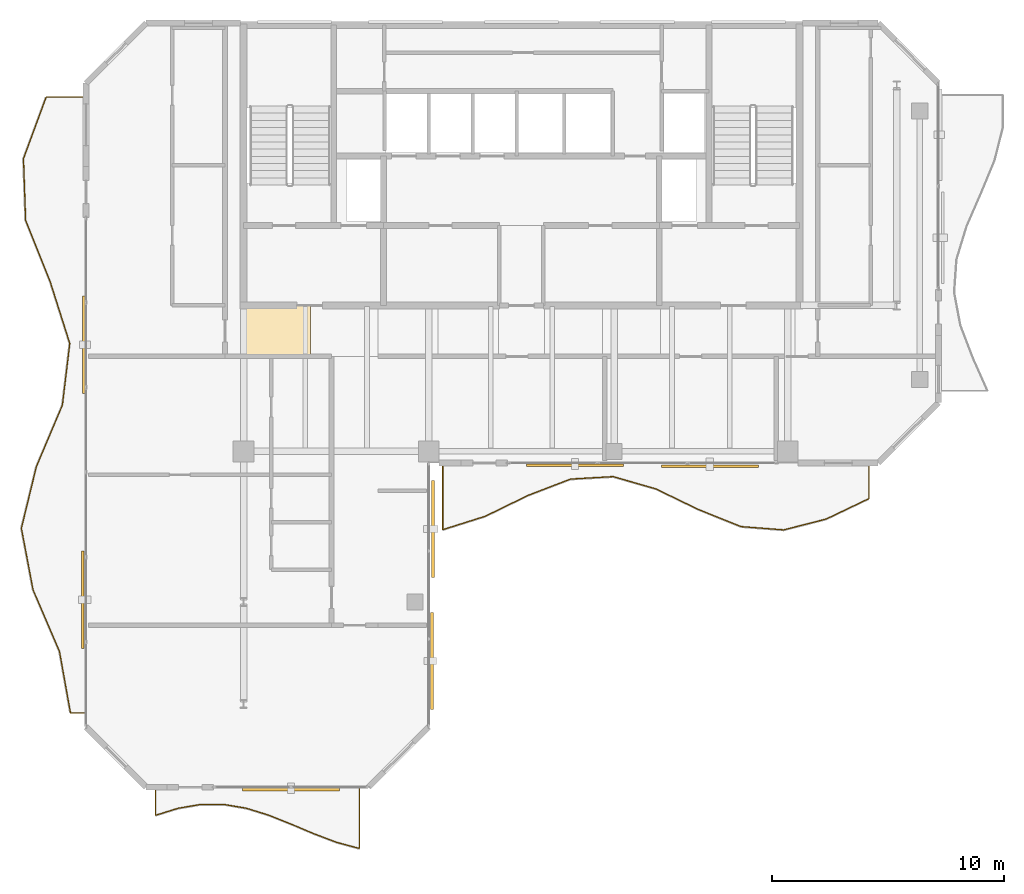
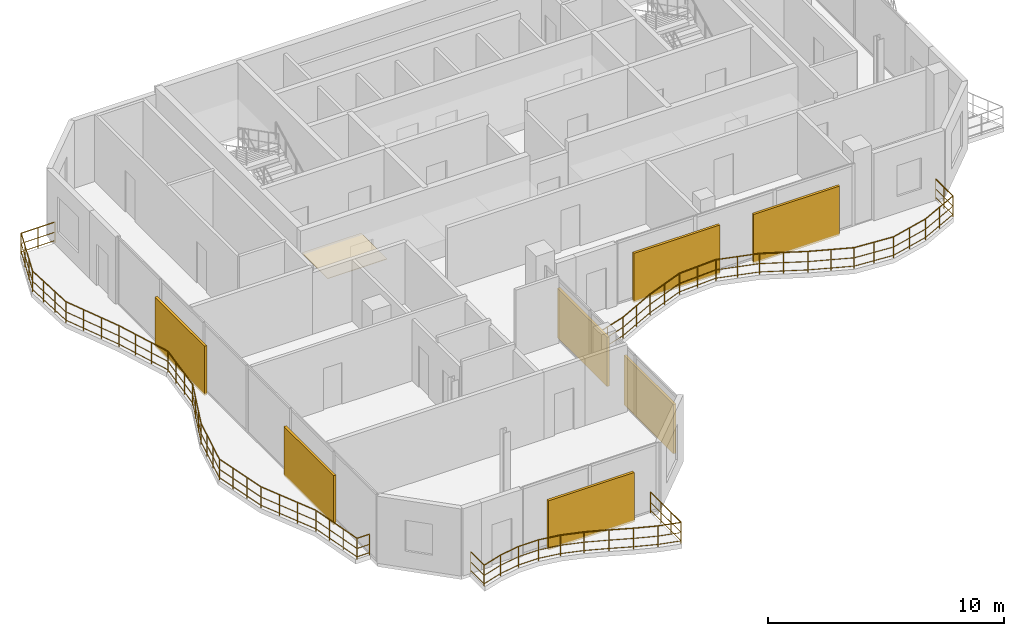
# One storey, part 15 of 16: 7 shading devices, 3 railings, 1 covering.
"""IFC4 building model written with IfcOpenShell, lengths in metres."""

from ifc_helpers import new_model, si_unit, direction, frame, origin, origin_2d, place, context, subcontext, project, spatial, polyline, rectangle, circle, outline, extrude, material, layer, layer_set, type_object, element, save


model = new_model("IFC4")

# Units and contexts
model_context = context("Model", 3, precision=1e-05, world=origin(), true_north=direction((0.0, 1.0)))
body_context = subcontext(model_context, "Body", "Model", "MODEL_VIEW")
ifc_project = project(units=[si_unit("LENGTHUNIT", "METRE"), si_unit("AREAUNIT", "SQUARE_METRE"), si_unit("VOLUMEUNIT", "CUBIC_METRE"), si_unit("PLANEANGLEUNIT", "RADIAN"), si_unit("MASSUNIT", "GRAM", prefix="KILO")], contexts=[model_context])

# Site, building, storey
site_placement = place(None, origin())
site = spatial("IfcSite", under=ifc_project, at=site_placement, CompositionType="ELEMENT")
building_placement = place(site_placement, origin())
building = spatial("IfcBuilding", under=site, at=building_placement, Name="Catumbela Crestline Tower", CompositionType="ELEMENT")
storey_placement = place(building_placement, frame((0.0, 0.0, 286.8)))
storey = spatial("IfcBuildingStorey", under=building, at=storey_placement, Name="L74", CompositionType="ELEMENT", Elevation=286.8)

# Covering
ifc_material_1 = material(Name="Mineral-fibre acoustic ceiling")
ifc_layer = layer(ifc_material_1, 0.03, Name="Mineral-fibre acoustic ceiling")
ifc_layer_set = layer_set([ifc_layer], Name="Mineral-fibre acoustic ceiling")
covering_type = type_object("IfcCoveringType", Name="CC-AC", PredefinedType="CEILING", material=ifc_layer_set)
covering_placement = place(storey_placement, frame((0.0, 0.0, 2.52)))
element("IfcCovering", 1, at=covering_placement, inside=storey, type_object=covering_type, Name="L74 Corridor Acoustic Ceiling Bay 1", PredefinedType="CEILING", context=body_context, shape_type="SweptSolid", body=[
    extrude(outline(polyline([(16.0, 28.6), (18.9, 28.6), (18.9, 30.8), (16.0, 30.8), (16.0, 28.6)])), origin(), (0.0, 0.0, 1.0), 0.03),
])

# Railings
ifc_material_2 = material(Name="Stainless steel EN 1.4401", Category="steel")
railing_type = type_object("IfcRailingType", Name="RB-1100", PredefinedType="BALUSTRADE", material=ifc_material_2)
railing_1_placement = place(storey_placement, frame((24.6, 23.94, 0.0)))
element("IfcRailing", 2, at=railing_1_placement, inside=storey, type_object=railing_type, Name="L74 Private Wave Balcony Balustrade 1", PredefinedType="BALUSTRADE", context=body_context, shape_type="SweptSolid", body=[
    extrude(circle(Radius=0.024, at=origin_2d()), frame((0.0, 0.0, 1.076), z_axis=(0.0, -1.0, 0.0), x_axis=(1.0, 0.0, 0.0)), (0.0, 0.0, 1.0), 2.8213),
    extrude(circle(Radius=0.0156, at=origin_2d()), frame((0.0, 0.0, 0.55), z_axis=(0.0, -1.0, 0.0), x_axis=(1.0, 0.0, 0.0)), (0.0, 0.0, 1.0), 2.8213),
    extrude(circle(Radius=0.0156, at=origin_2d()), frame((0.0, 0.0, 0.12), z_axis=(0.0, -1.0, 0.0), x_axis=(1.0, 0.0, 0.0)), (0.0, 0.0, 1.0), 2.8213),
    extrude(circle(Radius=0.024, at=origin_2d()), frame((0.0, -2.8213, 1.076), z_axis=(0.953605377257, 0.301059436766, 0.0), x_axis=(-0.301059436766, 0.953605377257, 0.0)), (0.0, 0.0, 1.0), 1.9295),
    extrude(circle(Radius=0.0156, at=origin_2d()), frame((0.0, -2.8213, 0.55), z_axis=(0.953605377257, 0.301059436766, 0.0), x_axis=(-0.301059436766, 0.953605377257, 0.0)), (0.0, 0.0, 1.0), 1.9295),
    extrude(circle(Radius=0.0156, at=origin_2d()), frame((0.0, -2.8213, 0.12), z_axis=(0.953605377257, 0.301059436766, 0.0), x_axis=(-0.301059436766, 0.953605377257, 0.0)), (0.0, 0.0, 1.0), 1.9295),
    extrude(circle(Radius=0.024, at=origin_2d()), frame((1.84, -2.2404, 1.076), z_axis=(0.8987609344, 0.438439029738, 0.0), x_axis=(-0.438439029738, 0.8987609344, 0.0)), (0.0, 0.0, 1.0), 2.0473),
    extrude(circle(Radius=0.0156, at=origin_2d()), frame((1.84, -2.2404, 0.55), z_axis=(0.8987609344, 0.438439029738, 0.0), x_axis=(-0.438439029738, 0.8987609344, 0.0)), (0.0, 0.0, 1.0), 2.0473),
    extrude(circle(Radius=0.0156, at=origin_2d()), frame((1.84, -2.2404, 0.12), z_axis=(0.8987609344, 0.438439029738, 0.0), x_axis=(-0.438439029738, 0.8987609344, 0.0)), (0.0, 0.0, 1.0), 2.0473),
    extrude(circle(Radius=0.024, at=origin_2d()), frame((3.68, -1.3428, 1.076), z_axis=(0.933463232673, 0.358673100815, 0.0), x_axis=(-0.358673100815, 0.933463232673, 0.0)), (0.0, 0.0, 1.0), 1.9712),
    extrude(circle(Radius=0.0156, at=origin_2d()), frame((3.68, -1.3428, 0.55), z_axis=(0.933463232673, 0.358673100815, 0.0), x_axis=(-0.358673100815, 0.933463232673, 0.0)), (0.0, 0.0, 1.0), 1.9712),
    extrude(circle(Radius=0.0156, at=origin_2d()), frame((3.68, -1.3428, 0.12), z_axis=(0.933463232673, 0.358673100815, 0.0), x_axis=(-0.358673100815, 0.933463232673, 0.0)), (0.0, 0.0, 1.0), 1.9712),
    extrude(circle(Radius=0.024, at=origin_2d()), frame((5.52, -0.6358, 1.076), z_axis=(0.998350962972, 0.057405180371, 0.0), x_axis=(-0.057405180371, 0.998350962972, 0.0)), (0.0, 0.0, 1.0), 1.843),
    extrude(circle(Radius=0.0156, at=origin_2d()), frame((5.52, -0.6358, 0.55), z_axis=(0.998350962972, 0.057405180371, 0.0), x_axis=(-0.057405180371, 0.998350962972, 0.0)), (0.0, 0.0, 1.0), 1.843),
    extrude(circle(Radius=0.0156, at=origin_2d()), frame((5.52, -0.6358, 0.12), z_axis=(0.998350962972, 0.057405180371, 0.0), x_axis=(-0.057405180371, 0.998350962972, 0.0)), (0.0, 0.0, 1.0), 1.843),
    extrude(circle(Radius=0.024, at=origin_2d()), frame((7.36, -0.53, 1.076), z_axis=(0.961152489006, -0.276017921299, 0.0), x_axis=(0.276017921299, 0.961152489006, 0.0)), (0.0, 0.0, 1.0), 1.9144),
    extrude(circle(Radius=0.0156, at=origin_2d()), frame((7.36, -0.53, 0.55), z_axis=(0.961152489006, -0.276017921299, 0.0), x_axis=(0.276017921299, 0.961152489006, 0.0)), (0.0, 0.0, 1.0), 1.9144),
    extrude(circle(Radius=0.0156, at=origin_2d()), frame((7.36, -0.53, 0.12), z_axis=(0.961152489006, -0.276017921299, 0.0), x_axis=(0.276017921299, 0.961152489006, 0.0)), (0.0, 0.0, 1.0), 1.9144),
    extrude(circle(Radius=0.024, at=origin_2d()), frame((9.2, -1.0584, 1.076), z_axis=(0.900086852243, -0.435710521355, 0.0), x_axis=(0.435710521355, 0.900086852243, 0.0)), (0.0, 0.0, 1.0), 2.0442),
    extrude(circle(Radius=0.0156, at=origin_2d()), frame((9.2, -1.0584, 0.55), z_axis=(0.900086852243, -0.435710521355, 0.0), x_axis=(0.435710521355, 0.900086852243, 0.0)), (0.0, 0.0, 1.0), 2.0442),
    extrude(circle(Radius=0.0156, at=origin_2d()), frame((9.2, -1.0584, 0.12), z_axis=(0.900086852243, -0.435710521355, 0.0), x_axis=(0.435710521355, 0.900086852243, 0.0)), (0.0, 0.0, 1.0), 2.0442),
    extrude(circle(Radius=0.024, at=origin_2d()), frame((11.04, -1.9491, 1.076), z_axis=(0.928006380315, -0.372564300619, 0.0), x_axis=(0.372564300619, 0.928006380315, 0.0)), (0.0, 0.0, 1.0), 1.9827),
    extrude(circle(Radius=0.0156, at=origin_2d()), frame((11.04, -1.9491, 0.55), z_axis=(0.928006380315, -0.372564300619, 0.0), x_axis=(0.372564300619, 0.928006380315, 0.0)), (0.0, 0.0, 1.0), 1.9827),
    extrude(circle(Radius=0.0156, at=origin_2d()), frame((11.04, -1.9491, 0.12), z_axis=(0.928006380315, -0.372564300619, 0.0), x_axis=(0.372564300619, 0.928006380315, 0.0)), (0.0, 0.0, 1.0), 1.9827),
    extrude(circle(Radius=0.024, at=origin_2d()), frame((12.88, -2.6878, 1.076), z_axis=(0.997027009952, -0.077052848269, 0.0), x_axis=(0.077052848269, 0.997027009952, 0.0)), (0.0, 0.0, 1.0), 1.8455),
    extrude(circle(Radius=0.0156, at=origin_2d()), frame((12.88, -2.6878, 0.55), z_axis=(0.997027009952, -0.077052848269, 0.0), x_axis=(0.077052848269, 0.997027009952, 0.0)), (0.0, 0.0, 1.0), 1.8455),
    extrude(circle(Radius=0.0156, at=origin_2d()), frame((12.88, -2.6878, 0.12), z_axis=(0.997027009952, -0.077052848269, 0.0), x_axis=(0.077052848269, 0.997027009952, 0.0)), (0.0, 0.0, 1.0), 1.8455),
    extrude(circle(Radius=0.024, at=origin_2d()), frame((14.72, -2.83, 1.076), z_axis=(0.968979182991, 0.247142353575, 0.0), x_axis=(-0.247142353575, 0.968979182991, 0.0)), (0.0, 0.0, 1.0), 1.8989),
    extrude(circle(Radius=0.0156, at=origin_2d()), frame((14.72, -2.83, 0.55), z_axis=(0.968979182991, 0.247142353575, 0.0), x_axis=(-0.247142353575, 0.968979182991, 0.0)), (0.0, 0.0, 1.0), 1.8989),
    extrude(circle(Radius=0.0156, at=origin_2d()), frame((14.72, -2.83, 0.12), z_axis=(0.968979182991, 0.247142353575, 0.0), x_axis=(-0.247142353575, 0.968979182991, 0.0)), (0.0, 0.0, 1.0), 1.8989),
    extrude(circle(Radius=0.024, at=origin_2d()), frame((16.56, -2.3607, 1.076), z_axis=(0.901981522151, 0.431774632995, 0.0), x_axis=(-0.431774632995, 0.901981522151, 0.0)), (0.0, 0.0, 1.0), 2.04),
    extrude(circle(Radius=0.0156, at=origin_2d()), frame((16.56, -2.3607, 0.55), z_axis=(0.901981522151, 0.431774632995, 0.0), x_axis=(-0.431774632995, 0.901981522151, 0.0)), (0.0, 0.0, 1.0), 2.04),
    extrude(circle(Radius=0.0156, at=origin_2d()), frame((16.56, -2.3607, 0.12), z_axis=(0.901981522151, 0.431774632995, 0.0), x_axis=(-0.431774632995, 0.901981522151, 0.0)), (0.0, 0.0, 1.0), 2.04),
    extrude(circle(Radius=0.024, at=origin_2d()), frame((18.4, -1.4799, 1.076), z_axis=(0.0, 1.0, 0.0), x_axis=(-1.0, 0.0, 0.0)), (0.0, 0.0, 1.0), 1.4799),
    extrude(circle(Radius=0.0156, at=origin_2d()), frame((18.4, -1.4799, 0.55), z_axis=(0.0, 1.0, 0.0), x_axis=(-1.0, 0.0, 0.0)), (0.0, 0.0, 1.0), 1.4799),
    extrude(circle(Radius=0.0156, at=origin_2d()), frame((18.4, -1.4799, 0.12), z_axis=(0.0, 1.0, 0.0), x_axis=(-1.0, 0.0, 0.0)), (0.0, 0.0, 1.0), 1.4799),
    extrude(circle(Radius=0.021, at=origin_2d()), origin(), (0.0, 0.0, 1.0), 1.052),
    extrude(circle(Radius=0.021, at=origin_2d()), frame((0.0, -0.9404, 0.0)), (0.0, 0.0, 1.0), 1.052),
    extrude(circle(Radius=0.021, at=origin_2d()), frame((0.0, -1.8809, 0.0)), (0.0, 0.0, 1.0), 1.052),
    extrude(circle(Radius=0.021, at=origin_2d()), frame((0.0, -2.8213, 0.0)), (0.0, 0.0, 1.0), 1.052),
    extrude(circle(Radius=0.021, at=origin_2d()), frame((0.92, -2.5309, 0.0)), (0.0, 0.0, 1.0), 1.052),
    extrude(circle(Radius=0.021, at=origin_2d()), frame((1.84, -2.2404, 0.0)), (0.0, 0.0, 1.0), 1.052),
    extrude(circle(Radius=0.021, at=origin_2d()), frame((2.76, -1.7916, 0.0)), (0.0, 0.0, 1.0), 1.052),
    extrude(circle(Radius=0.021, at=origin_2d()), frame((3.68, -1.3428, 0.0)), (0.0, 0.0, 1.0), 1.052),
    extrude(circle(Radius=0.021, at=origin_2d()), frame((4.6, -0.9893, 0.0)), (0.0, 0.0, 1.0), 1.052),
    extrude(circle(Radius=0.021, at=origin_2d()), frame((5.52, -0.6358, 0.0)), (0.0, 0.0, 1.0), 1.052),
    extrude(circle(Radius=0.021, at=origin_2d()), frame((6.44, -0.5829, 0.0)), (0.0, 0.0, 1.0), 1.052),
    extrude(circle(Radius=0.021, at=origin_2d()), frame((7.36, -0.53, 0.0)), (0.0, 0.0, 1.0), 1.052),
    extrude(circle(Radius=0.021, at=origin_2d()), frame((8.28, -0.7942, 0.0)), (0.0, 0.0, 1.0), 1.052),
    extrude(circle(Radius=0.021, at=origin_2d()), frame((9.2, -1.0584, 0.0)), (0.0, 0.0, 1.0), 1.052),
    extrude(circle(Radius=0.021, at=origin_2d()), frame((10.12, -1.5038, 0.0)), (0.0, 0.0, 1.0), 1.052),
    extrude(circle(Radius=0.021, at=origin_2d()), frame((11.04, -1.9491, 0.0)), (0.0, 0.0, 1.0), 1.052),
    extrude(circle(Radius=0.021, at=origin_2d()), frame((11.96, -2.3185, 0.0)), (0.0, 0.0, 1.0), 1.052),
    extrude(circle(Radius=0.021, at=origin_2d()), frame((12.88, -2.6878, 0.0)), (0.0, 0.0, 1.0), 1.052),
    extrude(circle(Radius=0.021, at=origin_2d()), frame((13.8, -2.7589, 0.0)), (0.0, 0.0, 1.0), 1.052),
    extrude(circle(Radius=0.021, at=origin_2d()), frame((14.72, -2.83, 0.0)), (0.0, 0.0, 1.0), 1.052),
    extrude(circle(Radius=0.021, at=origin_2d()), frame((15.64, -2.5954, 0.0)), (0.0, 0.0, 1.0), 1.052),
    extrude(circle(Radius=0.021, at=origin_2d()), frame((16.56, -2.3607, 0.0)), (0.0, 0.0, 1.0), 1.052),
    extrude(circle(Radius=0.021, at=origin_2d()), frame((17.48, -1.9203, 0.0)), (0.0, 0.0, 1.0), 1.052),
    extrude(circle(Radius=0.021, at=origin_2d()), frame((18.4, -1.4799, 0.0)), (0.0, 0.0, 1.0), 1.052),
    extrude(circle(Radius=0.021, at=origin_2d()), frame((18.4, -0.74, 0.0)), (0.0, 0.0, 1.0), 1.052),
    extrude(circle(Radius=0.021, at=origin_2d()), frame((18.4, 0.0, 0.0)), (0.0, 0.0, 1.0), 1.052),
])
railing_2_placement = place(storey_placement, frame((12.2, 9.94, 0.0)))
element("IfcRailing", 3, at=railing_2_placement, inside=storey, type_object=railing_type, Name="L74 Private Wave Balcony Balustrade 3", PredefinedType="BALUSTRADE", context=body_context, shape_type="SweptSolid", body=[
    extrude(circle(Radius=0.024, at=origin_2d()), frame((0.0, 0.0, 1.076), z_axis=(0.0, -1.0, 0.0), x_axis=(1.0, 0.0, 0.0)), (0.0, 0.0, 1.0), 1.1526),
    extrude(circle(Radius=0.0156, at=origin_2d()), frame((0.0, 0.0, 0.55), z_axis=(0.0, -1.0, 0.0), x_axis=(1.0, 0.0, 0.0)), (0.0, 0.0, 1.0), 1.1526),
    extrude(circle(Radius=0.0156, at=origin_2d()), frame((0.0, 0.0, 0.12), z_axis=(0.0, -1.0, 0.0), x_axis=(1.0, 0.0, 0.0)), (0.0, 0.0, 1.0), 1.1526),
    extrude(circle(Radius=0.024, at=origin_2d()), frame((0.0, -1.1526, 1.076), z_axis=(0.954913393502, 0.296884507696, 0.0), x_axis=(-0.296884507696, 0.954913393502, 0.0)), (0.0, 0.0, 1.0), 1.024),
    extrude(circle(Radius=0.0156, at=origin_2d()), frame((0.0, -1.1526, 0.55), z_axis=(0.954913393502, 0.296884507696, 0.0), x_axis=(-0.296884507696, 0.954913393502, 0.0)), (0.0, 0.0, 1.0), 1.024),
    extrude(circle(Radius=0.0156, at=origin_2d()), frame((0.0, -1.1526, 0.12), z_axis=(0.954913393502, 0.296884507696, 0.0), x_axis=(-0.296884507696, 0.954913393502, 0.0)), (0.0, 0.0, 1.0), 1.024),
    extrude(circle(Radius=0.024, at=origin_2d()), frame((0.9778, -0.8486, 1.076), z_axis=(0.985793479244, 0.167961948908, 0.0), x_axis=(-0.167961948908, 0.985793479244, 0.0)), (0.0, 0.0, 1.0), 0.9919),
    extrude(circle(Radius=0.0156, at=origin_2d()), frame((0.9778, -0.8486, 0.55), z_axis=(0.985793479244, 0.167961948908, 0.0), x_axis=(-0.167961948908, 0.985793479244, 0.0)), (0.0, 0.0, 1.0), 0.9919),
    extrude(circle(Radius=0.0156, at=origin_2d()), frame((0.9778, -0.8486, 0.12), z_axis=(0.985793479244, 0.167961948908, 0.0), x_axis=(-0.167961948908, 0.985793479244, 0.0)), (0.0, 0.0, 1.0), 0.9919),
    extrude(circle(Radius=0.024, at=origin_2d()), frame((1.9556, -0.682, 1.076), z_axis=(0.999998974787, 0.001431930617, 0.0), x_axis=(-0.001431930617, 0.999998974787, 0.0)), (0.0, 0.0, 1.0), 0.9777),
    extrude(circle(Radius=0.0156, at=origin_2d()), frame((1.9556, -0.682, 0.55), z_axis=(0.999998974787, 0.001431930617, 0.0), x_axis=(-0.001431930617, 0.999998974787, 0.0)), (0.0, 0.0, 1.0), 0.9777),
    extrude(circle(Radius=0.0156, at=origin_2d()), frame((1.9556, -0.682, 0.12), z_axis=(0.999998974787, 0.001431930617, 0.0), x_axis=(-0.001431930617, 0.999998974787, 0.0)), (0.0, 0.0, 1.0), 0.9777),
    extrude(circle(Radius=0.024, at=origin_2d()), frame((2.9333, -0.6806, 1.076), z_axis=(0.986240840677, -0.165314863762, 0.0), x_axis=(0.165314863762, 0.986240840677, 0.0)), (0.0, 0.0, 1.0), 0.9914),
    extrude(circle(Radius=0.0156, at=origin_2d()), frame((2.9333, -0.6806, 0.55), z_axis=(0.986240840677, -0.165314863762, 0.0), x_axis=(0.165314863762, 0.986240840677, 0.0)), (0.0, 0.0, 1.0), 0.9914),
    extrude(circle(Radius=0.0156, at=origin_2d()), frame((2.9333, -0.6806, 0.12), z_axis=(0.986240840677, -0.165314863762, 0.0), x_axis=(0.165314863762, 0.986240840677, 0.0)), (0.0, 0.0, 1.0), 0.9914),
    extrude(circle(Radius=0.024, at=origin_2d()), frame((3.9111, -0.8445, 1.076), z_axis=(0.955465777669, -0.29510192765, 0.0), x_axis=(0.29510192765, 0.955465777669, 0.0)), (0.0, 0.0, 1.0), 1.0234),
    extrude(circle(Radius=0.0156, at=origin_2d()), frame((3.9111, -0.8445, 0.55), z_axis=(0.955465777669, -0.29510192765, 0.0), x_axis=(0.29510192765, 0.955465777669, 0.0)), (0.0, 0.0, 1.0), 1.0234),
    extrude(circle(Radius=0.0156, at=origin_2d()), frame((3.9111, -0.8445, 0.12), z_axis=(0.955465777669, -0.29510192765, 0.0), x_axis=(0.29510192765, 0.955465777669, 0.0)), (0.0, 0.0, 1.0), 1.0234),
    extrude(circle(Radius=0.024, at=origin_2d()), frame((4.8889, -1.1465, 1.076), z_axis=(0.928712315601, -0.370801071805, 0.0), x_axis=(0.370801071805, 0.928712315601, 0.0)), (0.0, 0.0, 1.0), 1.0529),
    extrude(circle(Radius=0.0156, at=origin_2d()), frame((4.8889, -1.1465, 0.55), z_axis=(0.928712315601, -0.370801071805, 0.0), x_axis=(0.370801071805, 0.928712315601, 0.0)), (0.0, 0.0, 1.0), 1.0529),
    extrude(circle(Radius=0.0156, at=origin_2d()), frame((4.8889, -1.1465, 0.12), z_axis=(0.928712315601, -0.370801071805, 0.0), x_axis=(0.370801071805, 0.928712315601, 0.0)), (0.0, 0.0, 1.0), 1.0529),
    extrude(circle(Radius=0.024, at=origin_2d()), frame((5.8667, -1.5369, 1.076), z_axis=(0.920846314381, -0.389925717658, 0.0), x_axis=(0.389925717658, 0.920846314381, 0.0)), (0.0, 0.0, 1.0), 1.0617),
    extrude(circle(Radius=0.0156, at=origin_2d()), frame((5.8667, -1.5369, 0.55), z_axis=(0.920846314381, -0.389925717658, 0.0), x_axis=(0.389925717658, 0.920846314381, 0.0)), (0.0, 0.0, 1.0), 1.0617),
    extrude(circle(Radius=0.0156, at=origin_2d()), frame((5.8667, -1.5369, 0.12), z_axis=(0.920846314381, -0.389925717658, 0.0), x_axis=(0.389925717658, 0.920846314381, 0.0)), (0.0, 0.0, 1.0), 1.0617),
    extrude(circle(Radius=0.024, at=origin_2d()), frame((6.8444, -1.9509, 1.076), z_axis=(0.93556414511, -0.353156807077, 0.0), x_axis=(0.353156807077, 0.93556414511, 0.0)), (0.0, 0.0, 1.0), 1.0451),
    extrude(circle(Radius=0.0156, at=origin_2d()), frame((6.8444, -1.9509, 0.55), z_axis=(0.93556414511, -0.353156807077, 0.0), x_axis=(0.353156807077, 0.93556414511, 0.0)), (0.0, 0.0, 1.0), 1.0451),
    extrude(circle(Radius=0.0156, at=origin_2d()), frame((6.8444, -1.9509, 0.12), z_axis=(0.93556414511, -0.353156807077, 0.0), x_axis=(0.353156807077, 0.93556414511, 0.0)), (0.0, 0.0, 1.0), 1.0451),
    extrude(circle(Radius=0.024, at=origin_2d()), frame((7.8222, -2.32, 1.076), z_axis=(0.965579518033, -0.260108043618, 0.0), x_axis=(0.260108043618, 0.965579518033, 0.0)), (0.0, 0.0, 1.0), 1.0127),
    extrude(circle(Radius=0.0156, at=origin_2d()), frame((7.8222, -2.32, 0.55), z_axis=(0.965579518033, -0.260108043618, 0.0), x_axis=(0.260108043618, 0.965579518033, 0.0)), (0.0, 0.0, 1.0), 1.0127),
    extrude(circle(Radius=0.0156, at=origin_2d()), frame((7.8222, -2.32, 0.12), z_axis=(0.965579518033, -0.260108043618, 0.0), x_axis=(0.260108043618, 0.965579518033, 0.0)), (0.0, 0.0, 1.0), 1.0127),
    extrude(circle(Radius=0.024, at=origin_2d()), frame((8.8, -2.5834, 1.076), z_axis=(0.0, 1.0, 0.0), x_axis=(-1.0, 0.0, 0.0)), (0.0, 0.0, 1.0), 2.5834),
    extrude(circle(Radius=0.0156, at=origin_2d()), frame((8.8, -2.5834, 0.55), z_axis=(0.0, 1.0, 0.0), x_axis=(-1.0, 0.0, 0.0)), (0.0, 0.0, 1.0), 2.5834),
    extrude(circle(Radius=0.0156, at=origin_2d()), frame((8.8, -2.5834, 0.12), z_axis=(0.0, 1.0, 0.0), x_axis=(-1.0, 0.0, 0.0)), (0.0, 0.0, 1.0), 2.5834),
    extrude(circle(Radius=0.021, at=origin_2d()), origin(), (0.0, 0.0, 1.0), 1.052),
    extrude(circle(Radius=0.021, at=origin_2d()), frame((0.0, -1.1526, 0.0)), (0.0, 0.0, 1.0), 1.052),
    extrude(circle(Radius=0.021, at=origin_2d()), frame((0.9778, -0.8486, 0.0)), (0.0, 0.0, 1.0), 1.052),
    extrude(circle(Radius=0.021, at=origin_2d()), frame((1.9556, -0.682, 0.0)), (0.0, 0.0, 1.0), 1.052),
    extrude(circle(Radius=0.021, at=origin_2d()), frame((2.9333, -0.6806, 0.0)), (0.0, 0.0, 1.0), 1.052),
    extrude(circle(Radius=0.021, at=origin_2d()), frame((3.9111, -0.8445, 0.0)), (0.0, 0.0, 1.0), 1.052),
    extrude(circle(Radius=0.021, at=origin_2d()), frame((4.8889, -1.1465, 0.0)), (0.0, 0.0, 1.0), 1.052),
    extrude(circle(Radius=0.021, at=origin_2d()), frame((5.8667, -1.5369, 0.0)), (0.0, 0.0, 1.0), 1.052),
    extrude(circle(Radius=0.021, at=origin_2d()), frame((6.8444, -1.9509, 0.0)), (0.0, 0.0, 1.0), 1.052),
    extrude(circle(Radius=0.021, at=origin_2d()), frame((7.8222, -2.32, 0.0)), (0.0, 0.0, 1.0), 1.052),
    extrude(circle(Radius=0.021, at=origin_2d()), frame((8.8, -2.5834, 0.0)), (0.0, 0.0, 1.0), 1.052),
    extrude(circle(Radius=0.021, at=origin_2d()), frame((8.8, -1.7223, 0.0)), (0.0, 0.0, 1.0), 1.052),
    extrude(circle(Radius=0.021, at=origin_2d()), frame((8.8, -0.8611, 0.0)), (0.0, 0.0, 1.0), 1.052),
    extrude(circle(Radius=0.021, at=origin_2d()), frame((8.8, 0.0, 0.0)), (0.0, 0.0, 1.0), 1.052),
])
railing_3_placement = place(storey_placement, frame((9.14, 39.8, 0.0)))
element("IfcRailing", 4, at=railing_3_placement, inside=storey, type_object=railing_type, Name="L74 Private Wave Balcony Balustrade 4", PredefinedType="BALUSTRADE", context=body_context, shape_type="SweptSolid", body=[
    extrude(circle(Radius=0.024, at=origin_2d()), frame((0.0, 0.0, 1.076), z_axis=(-1.0, 0.0, 0.0), x_axis=(0.0, -1.0, 0.0)), (0.0, 0.0, 1.0), 1.6593),
    extrude(circle(Radius=0.0156, at=origin_2d()), frame((0.0, 0.0, 0.55), z_axis=(-1.0, 0.0, 0.0), x_axis=(0.0, -1.0, 0.0)), (0.0, 0.0, 1.0), 1.6593),
    extrude(circle(Radius=0.0156, at=origin_2d()), frame((0.0, 0.0, 0.12), z_axis=(-1.0, 0.0, 0.0), x_axis=(0.0, -1.0, 0.0)), (0.0, 0.0, 1.0), 1.6593),
    extrude(circle(Radius=0.024, at=origin_2d()), frame((-1.6593, 0.0, 1.076), z_axis=(-0.345953803564, -0.938251547187, 0.0), x_axis=(0.938251547187, -0.345953803564, 0.0)), (0.0, 0.0, 1.0), 2.8351),
    extrude(circle(Radius=0.0156, at=origin_2d()), frame((-1.6593, 0.0, 0.55), z_axis=(-0.345953803564, -0.938251547187, 0.0), x_axis=(0.938251547187, -0.345953803564, 0.0)), (0.0, 0.0, 1.0), 2.8351),
    extrude(circle(Radius=0.0156, at=origin_2d()), frame((-1.6593, 0.0, 0.12), z_axis=(-0.345953803564, -0.938251547187, 0.0), x_axis=(0.938251547187, -0.345953803564, 0.0)), (0.0, 0.0, 1.0), 2.8351),
    extrude(circle(Radius=0.024, at=origin_2d()), frame((-2.6401, -2.66, 1.076), z_axis=(0.034866006476, -0.999391995962, 0.0), x_axis=(0.999391995962, 0.034866006476, 0.0)), (0.0, 0.0, 1.0), 2.6616),
    extrude(circle(Radius=0.0156, at=origin_2d()), frame((-2.6401, -2.66, 0.55), z_axis=(0.034866006476, -0.999391995962, 0.0), x_axis=(0.999391995962, 0.034866006476, 0.0)), (0.0, 0.0, 1.0), 2.6616),
    extrude(circle(Radius=0.0156, at=origin_2d()), frame((-2.6401, -2.66, 0.12), z_axis=(0.034866006476, -0.999391995962, 0.0), x_axis=(0.999391995962, 0.034866006476, 0.0)), (0.0, 0.0, 1.0), 2.6616),
    extrude(circle(Radius=0.024, at=origin_2d()), frame((-2.5473, -5.32, 1.076), z_axis=(0.370999399203, -0.928633106125, 0.0), x_axis=(0.928633106125, 0.370999399203, 0.0)), (0.0, 0.0, 1.0), 2.8644),
    extrude(circle(Radius=0.0156, at=origin_2d()), frame((-2.5473, -5.32, 0.55), z_axis=(0.370999399203, -0.928633106125, 0.0), x_axis=(0.928633106125, 0.370999399203, 0.0)), (0.0, 0.0, 1.0), 2.8644),
    extrude(circle(Radius=0.0156, at=origin_2d()), frame((-2.5473, -5.32, 0.12), z_axis=(0.370999399203, -0.928633106125, 0.0), x_axis=(0.928633106125, 0.370999399203, 0.0)), (0.0, 0.0, 1.0), 2.8644),
    extrude(circle(Radius=0.024, at=origin_2d()), frame((-1.4846, -7.98, 1.076), z_axis=(0.302467005362, -0.953159855778, 0.0), x_axis=(0.953159855778, 0.302467005362, 0.0)), (0.0, 0.0, 1.0), 2.7907),
    extrude(circle(Radius=0.0156, at=origin_2d()), frame((-1.4846, -7.98, 0.55), z_axis=(0.302467005362, -0.953159855778, 0.0), x_axis=(0.953159855778, 0.302467005362, 0.0)), (0.0, 0.0, 1.0), 2.7907),
    extrude(circle(Radius=0.0156, at=origin_2d()), frame((-1.4846, -7.98, 0.12), z_axis=(0.302467005362, -0.953159855778, 0.0), x_axis=(0.953159855778, 0.302467005362, 0.0)), (0.0, 0.0, 1.0), 2.7907),
    extrude(circle(Radius=0.024, at=origin_2d()), frame((-0.6405, -10.64, 1.076), z_axis=(-0.118814033785, -0.992916524878, 0.0), x_axis=(0.992916524878, -0.118814033785, 0.0)), (0.0, 0.0, 1.0), 2.679),
    extrude(circle(Radius=0.0156, at=origin_2d()), frame((-0.6405, -10.64, 0.55), z_axis=(-0.118814033785, -0.992916524878, 0.0), x_axis=(0.992916524878, -0.118814033785, 0.0)), (0.0, 0.0, 1.0), 2.679),
    extrude(circle(Radius=0.0156, at=origin_2d()), frame((-0.6405, -10.64, 0.12), z_axis=(-0.118814033785, -0.992916524878, 0.0), x_axis=(0.992916524878, -0.118814033785, 0.0)), (0.0, 0.0, 1.0), 2.679),
    extrude(circle(Radius=0.024, at=origin_2d()), frame((-0.9588, -13.3, 1.076), z_axis=(-0.38946828995, -0.921039874882, 0.0), x_axis=(0.921039874882, -0.38946828995, 0.0)), (0.0, 0.0, 1.0), 2.888),
    extrude(circle(Radius=0.0156, at=origin_2d()), frame((-0.9588, -13.3, 0.55), z_axis=(-0.38946828995, -0.921039874882, 0.0), x_axis=(0.921039874882, -0.38946828995, 0.0)), (0.0, 0.0, 1.0), 2.888),
    extrude(circle(Radius=0.0156, at=origin_2d()), frame((-0.9588, -13.3, 0.12), z_axis=(-0.38946828995, -0.921039874882, 0.0), x_axis=(0.921039874882, -0.38946828995, 0.0)), (0.0, 0.0, 1.0), 2.888),
    extrude(circle(Radius=0.024, at=origin_2d()), frame((-2.0836, -15.96, 1.076), z_axis=(-0.236135310756, -0.971720183496, 0.0), x_axis=(0.971720183496, -0.236135310756, 0.0)), (0.0, 0.0, 1.0), 2.7374),
    extrude(circle(Radius=0.0156, at=origin_2d()), frame((-2.0836, -15.96, 0.55), z_axis=(-0.236135310756, -0.971720183496, 0.0), x_axis=(0.971720183496, -0.236135310756, 0.0)), (0.0, 0.0, 1.0), 2.7374),
    extrude(circle(Radius=0.0156, at=origin_2d()), frame((-2.0836, -15.96, 0.12), z_axis=(-0.236135310756, -0.971720183496, 0.0), x_axis=(0.971720183496, -0.236135310756, 0.0)), (0.0, 0.0, 1.0), 2.7374),
    extrude(circle(Radius=0.024, at=origin_2d()), frame((-2.73, -18.62, 1.076), z_axis=(0.186090208907, -0.982532663146, 0.0), x_axis=(0.982532663146, 0.186090208907, 0.0)), (0.0, 0.0, 1.0), 2.7073),
    extrude(circle(Radius=0.0156, at=origin_2d()), frame((-2.73, -18.62, 0.55), z_axis=(0.186090208907, -0.982532663146, 0.0), x_axis=(0.982532663146, 0.186090208907, 0.0)), (0.0, 0.0, 1.0), 2.7073),
    extrude(circle(Radius=0.0156, at=origin_2d()), frame((-2.73, -18.62, 0.12), z_axis=(0.186090208907, -0.982532663146, 0.0), x_axis=(0.982532663146, 0.186090208907, 0.0)), (0.0, 0.0, 1.0), 2.7073),
    extrude(circle(Radius=0.024, at=origin_2d()), frame((-2.2262, -21.28, 1.076), z_axis=(0.394415397897, -0.918932257515, 0.0), x_axis=(0.918932257515, 0.394415397897, 0.0)), (0.0, 0.0, 1.0), 2.8947),
    extrude(circle(Radius=0.0156, at=origin_2d()), frame((-2.2262, -21.28, 0.55), z_axis=(0.394415397897, -0.918932257515, 0.0), x_axis=(0.918932257515, 0.394415397897, 0.0)), (0.0, 0.0, 1.0), 2.8947),
    extrude(circle(Radius=0.0156, at=origin_2d()), frame((-2.2262, -21.28, 0.12), z_axis=(0.394415397897, -0.918932257515, 0.0), x_axis=(0.918932257515, 0.394415397897, 0.0)), (0.0, 0.0, 1.0), 2.8947),
    extrude(circle(Radius=0.024, at=origin_2d()), frame((-1.0845, -23.94, 1.076), z_axis=(0.176041675656, -0.984382714411, 0.0), x_axis=(0.984382714411, 0.176041675656, 0.0)), (0.0, 0.0, 1.0), 2.7022),
    extrude(circle(Radius=0.0156, at=origin_2d()), frame((-1.0845, -23.94, 0.55), z_axis=(0.176041675656, -0.984382714411, 0.0), x_axis=(0.984382714411, 0.176041675656, 0.0)), (0.0, 0.0, 1.0), 2.7022),
    extrude(circle(Radius=0.0156, at=origin_2d()), frame((-1.0845, -23.94, 0.12), z_axis=(0.176041675656, -0.984382714411, 0.0), x_axis=(0.984382714411, 0.176041675656, 0.0)), (0.0, 0.0, 1.0), 2.7022),
    extrude(circle(Radius=0.024, at=origin_2d()), frame((-0.6088, -26.6, 1.076), z_axis=(1.0, 0.0, 0.0), x_axis=(0.0, 1.0, 0.0)), (0.0, 0.0, 1.0), 0.6088),
    extrude(circle(Radius=0.0156, at=origin_2d()), frame((-0.6088, -26.6, 0.55), z_axis=(1.0, 0.0, 0.0), x_axis=(0.0, 1.0, 0.0)), (0.0, 0.0, 1.0), 0.6088),
    extrude(circle(Radius=0.0156, at=origin_2d()), frame((-0.6088, -26.6, 0.12), z_axis=(1.0, 0.0, 0.0), x_axis=(0.0, 1.0, 0.0)), (0.0, 0.0, 1.0), 0.6088),
    extrude(circle(Radius=0.021, at=origin_2d()), origin(), (0.0, 0.0, 1.0), 1.052),
    extrude(circle(Radius=0.021, at=origin_2d()), frame((-0.8297, 0.0, 0.0)), (0.0, 0.0, 1.0), 1.052),
    extrude(circle(Radius=0.021, at=origin_2d()), frame((-1.6593, 0.0, 0.0)), (0.0, 0.0, 1.0), 1.052),
    extrude(circle(Radius=0.021, at=origin_2d()), frame((-1.9862, -0.8867, 0.0)), (0.0, 0.0, 1.0), 1.052),
    extrude(circle(Radius=0.021, at=origin_2d()), frame((-2.3132, -1.7733, 0.0)), (0.0, 0.0, 1.0), 1.052),
    extrude(circle(Radius=0.021, at=origin_2d()), frame((-2.6401, -2.66, 0.0)), (0.0, 0.0, 1.0), 1.052),
    extrude(circle(Radius=0.021, at=origin_2d()), frame((-2.6092, -3.5467, 0.0)), (0.0, 0.0, 1.0), 1.052),
    extrude(circle(Radius=0.021, at=origin_2d()), frame((-2.5782, -4.4333, 0.0)), (0.0, 0.0, 1.0), 1.052),
    extrude(circle(Radius=0.021, at=origin_2d()), frame((-2.5473, -5.32, 0.0)), (0.0, 0.0, 1.0), 1.052),
    extrude(circle(Radius=0.021, at=origin_2d()), frame((-2.1931, -6.2067, 0.0)), (0.0, 0.0, 1.0), 1.052),
    extrude(circle(Radius=0.021, at=origin_2d()), frame((-1.8388, -7.0933, 0.0)), (0.0, 0.0, 1.0), 1.052),
    extrude(circle(Radius=0.021, at=origin_2d()), frame((-1.4846, -7.98, 0.0)), (0.0, 0.0, 1.0), 1.052),
    extrude(circle(Radius=0.021, at=origin_2d()), frame((-1.2032, -8.8667, 0.0)), (0.0, 0.0, 1.0), 1.052),
    extrude(circle(Radius=0.021, at=origin_2d()), frame((-0.9219, -9.7533, 0.0)), (0.0, 0.0, 1.0), 1.052),
    extrude(circle(Radius=0.021, at=origin_2d()), frame((-0.6405, -10.64, 0.0)), (0.0, 0.0, 1.0), 1.052),
    extrude(circle(Radius=0.021, at=origin_2d()), frame((-0.7466, -11.5267, 0.0)), (0.0, 0.0, 1.0), 1.052),
    extrude(circle(Radius=0.021, at=origin_2d()), frame((-0.8527, -12.4133, 0.0)), (0.0, 0.0, 1.0), 1.052),
    extrude(circle(Radius=0.021, at=origin_2d()), frame((-0.9588, -13.3, 0.0)), (0.0, 0.0, 1.0), 1.052),
    extrude(circle(Radius=0.021, at=origin_2d()), frame((-1.3337, -14.1867, 0.0)), (0.0, 0.0, 1.0), 1.052),
    extrude(circle(Radius=0.021, at=origin_2d()), frame((-1.7087, -15.0733, 0.0)), (0.0, 0.0, 1.0), 1.052),
    extrude(circle(Radius=0.021, at=origin_2d()), frame((-2.0836, -15.96, 0.0)), (0.0, 0.0, 1.0), 1.052),
    extrude(circle(Radius=0.021, at=origin_2d()), frame((-2.2991, -16.8467, 0.0)), (0.0, 0.0, 1.0), 1.052),
    extrude(circle(Radius=0.021, at=origin_2d()), frame((-2.5145, -17.7333, 0.0)), (0.0, 0.0, 1.0), 1.052),
    extrude(circle(Radius=0.021, at=origin_2d()), frame((-2.73, -18.62, 0.0)), (0.0, 0.0, 1.0), 1.052),
    extrude(circle(Radius=0.021, at=origin_2d()), frame((-2.5621, -19.5067, 0.0)), (0.0, 0.0, 1.0), 1.052),
    extrude(circle(Radius=0.021, at=origin_2d()), frame((-2.3941, -20.3933, 0.0)), (0.0, 0.0, 1.0), 1.052),
    extrude(circle(Radius=0.021, at=origin_2d()), frame((-2.2262, -21.28, 0.0)), (0.0, 0.0, 1.0), 1.052),
    extrude(circle(Radius=0.021, at=origin_2d()), frame((-1.8456, -22.1667, 0.0)), (0.0, 0.0, 1.0), 1.052),
    extrude(circle(Radius=0.021, at=origin_2d()), frame((-1.4651, -23.0533, 0.0)), (0.0, 0.0, 1.0), 1.052),
    extrude(circle(Radius=0.021, at=origin_2d()), frame((-1.0845, -23.94, 0.0)), (0.0, 0.0, 1.0), 1.052),
    extrude(circle(Radius=0.021, at=origin_2d()), frame((-0.9259, -24.8267, 0.0)), (0.0, 0.0, 1.0), 1.052),
    extrude(circle(Radius=0.021, at=origin_2d()), frame((-0.7674, -25.7133, 0.0)), (0.0, 0.0, 1.0), 1.052),
    extrude(circle(Radius=0.021, at=origin_2d()), frame((-0.6088, -26.6, 0.0)), (0.0, 0.0, 1.0), 1.052),
    extrude(circle(Radius=0.021, at=origin_2d()), frame((0.0, -26.6, 0.0)), (0.0, 0.0, 1.0), 1.052),
])

# Shading devices
ifc_material_3 = material(Name="Extruded terracotta ceramic", Category="masonry")
shading_device_type_1 = type_object("IfcShadingDeviceType", Name="ST-180", PredefinedType="USERDEFINED", material=ifc_material_3)
for number, where, z_axis, x_axis, name in (
    (5, (18.05, 9.901, -0.1), (0.0, 0.0, 1.0), (1.0, 0.0, 0.0), "L74 Perforated Terracotta Solar Screen 915 (180 mm)"),
    (6, (30.3125, 23.901, -0.1), (0.0, 0.0, 1.0), (1.0, 0.0, 0.0), "L74 Perforated Terracotta Solar Screen 918 (180 mm)"),
    (7, (9.101, 29.1, -0.1), (0.0, 0.0, 1.0), (0.0, -1.0, 0.0), "L74 Perforated Terracotta Solar Screen 922 (180 mm)"),
):
    element("IfcShadingDevice", number, at=place(storey_placement, frame(where, z_axis=z_axis, x_axis=x_axis)), inside=storey, type_object=shading_device_type_1, Name=name, ObjectType="SCREEN", PredefinedType="USERDEFINED", context=body_context, shape_type="SweptSolid", body=[
        extrude(rectangle(XDim=4.2, YDim=0.12, at=origin_2d()), origin(), (0.0, 0.0, 1.0), 2.55),
    ])
shading_device_type_2 = type_object("IfcShadingDeviceType", Name="ST-260", PredefinedType="USERDEFINED", material=ifc_material_3)
for number, where, z_axis, x_axis, name in (
    (8, (24.143, 15.45, -0.1), (0.0, 0.0, 1.0), (0.0, 1.0, 0.0), "L74 Perforated Terracotta Solar Screen 916 (260 mm)"),
    (9, (36.1375, 23.857, -0.1), (0.0, 0.0, 1.0), (1.0, 0.0, 0.0), "L74 Perforated Terracotta Solar Screen 919 (260 mm)"),
    (10, (9.057, 18.1, -0.1), (0.0, 0.0, 1.0), (0.0, -1.0, 0.0), "L74 Perforated Terracotta Solar Screen 923 (260 mm)"),
):
    element("IfcShadingDevice", number, at=place(storey_placement, frame(where, z_axis=z_axis, x_axis=x_axis)), inside=storey, type_object=shading_device_type_2, Name=name, ObjectType="SCREEN", PredefinedType="USERDEFINED", context=body_context, shape_type="SweptSolid", body=[
        extrude(rectangle(XDim=4.2, YDim=0.12, at=origin_2d()), origin(), (0.0, 0.0, 1.0), 2.55),
    ])
shading_device_type_3 = type_object("IfcShadingDeviceType", Name="ST-340", PredefinedType="USERDEFINED", material=ifc_material_3)
shading_device_placement = place(storey_placement, frame((24.187, 21.15, -0.1), z_axis=(0.0, 0.0, 1.0), x_axis=(0.0, 1.0, 0.0)))
element("IfcShadingDevice", 11, at=shading_device_placement, inside=storey, type_object=shading_device_type_3, Name="L74 Perforated Terracotta Solar Screen 917 (340 mm)", ObjectType="SCREEN", PredefinedType="USERDEFINED", context=body_context, shape_type="SweptSolid", body=[
    extrude(rectangle(XDim=4.2, YDim=0.12, at=origin_2d()), origin(), (0.0, 0.0, 1.0), 2.55),
])

save(model, "model.ifc")
